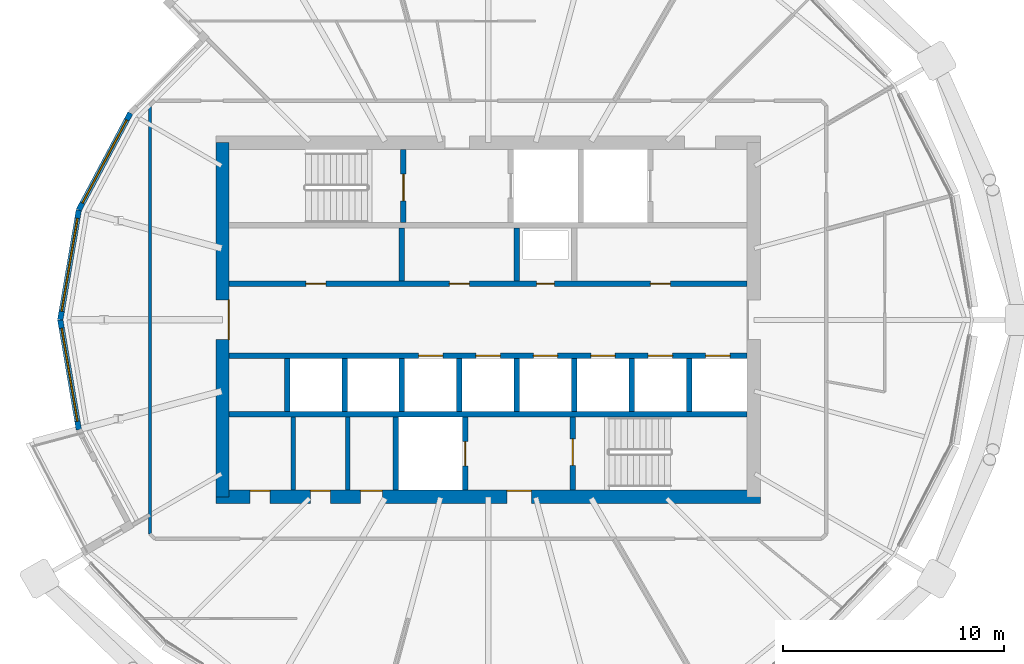
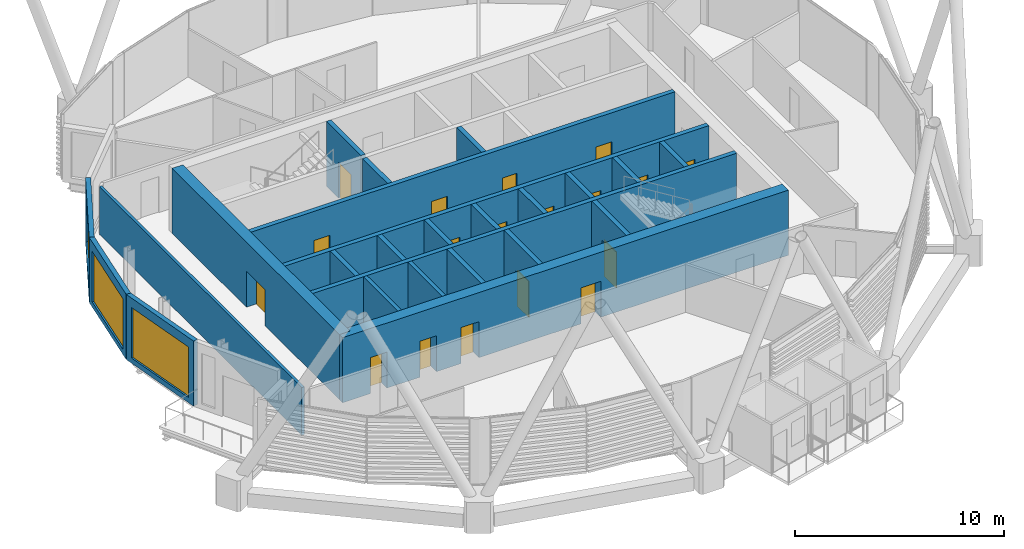
# One storey, part 23 of 35: 25 walls, 18 doors, 3 windows, 21 openings.
"""IFC4 building model written with IfcOpenShell, lengths in metres."""

from ifc_helpers import new_model, si_unit, direction, frame, frame_2d, origin, place, context, subcontext, project, spatial, rectangle, extrude, material, layer, layer_set, type_object, element, fill, save


model = new_model("IFC4")

# Units and contexts
model_context = context("Model", 3, precision=1e-05, world=origin(), true_north=direction((0.0, 1.0)))
body_context = subcontext(model_context, "Body", "Model", "MODEL_VIEW")
ifc_project = project(units=[si_unit("LENGTHUNIT", "METRE"), si_unit("AREAUNIT", "SQUARE_METRE"), si_unit("VOLUMEUNIT", "CUBIC_METRE"), si_unit("PLANEANGLEUNIT", "RADIAN"), si_unit("MASSUNIT", "GRAM", prefix="KILO")], contexts=[model_context])

# Site, building, storey
site_placement = place(None, origin())
site = spatial("IfcSite", under=ifc_project, at=site_placement, CompositionType="ELEMENT")
building_placement = place(site_placement, origin())
building = spatial("IfcBuilding", under=site, at=building_placement, Name="Rimbun Link Towers", CompositionType="ELEMENT")
storey_placement = place(building_placement, frame((0.0, 0.0, 181.699951171875)))
storey = spatial("IfcBuildingStorey", under=building, at=storey_placement, Name="L44", CompositionType="ELEMENT", Elevation=181.699951171875)

# Wall, opening, window
ifc_material_1 = material(Name="Dark enamelled glass spandrel on insulated aluminium backpan", Category="aluminium")
ifc_layer_1 = layer(ifc_material_1, 0.25)
ifc_layer_set_1 = layer_set([ifc_layer_1], Name="CS dark enamelled spandrel wall 250")
wall_type_1 = type_object("IfcWallType", Name="CS dark enamelled spandrel wall 250", PredefinedType="STANDARD", material=ifc_layer_set_1)
wall_1_placement = place(storey_placement, frame((-50.239501953125, 4.962890625, 0.0), z_axis=(0.0, 0.0, 1.0), x_axis=(0.469870717815, 0.882735242607, 0.0)))
wall_1 = element("IfcWall", 1, at=wall_1_placement, inside=storey, type_object=wall_type_1, Name="Crease spandrel wall", PredefinedType="STANDARD", context=body_context, shape_type="SweptSolid", body=[
    extrude(rectangle(XDim=4.963623046875, YDim=0.25, at=frame_2d((2.48193359375, 0.0))), origin(), (0.0, 0.0, 1.0), 3.800048828125),
])
opening_1_placement = place(wall_1_placement, frame((0.35693359375, 0.0, 0.300048828125)))
opening_1 = element("IfcOpeningElement", 2, at=opening_1_placement, cuts=wall_1, Name="Opening WR42H295", PredefinedType="OPENING", context=body_context, shape_type="SweptSolid", body=[
    extrude(rectangle(XDim=4.25, YDim=2.949951171875, at=frame_2d((2.125, 1.47509765625))), frame((0.0, 0.135009765625, 0.0), z_axis=(0.0, -1.0, 0.0), x_axis=(1.0, 0.0, 0.0)), (0.0, 0.0, 1.0), 0.27001953125),
])
ifc_material_2 = material(Name="Aluminium framed fixed window, dark tinted low-e glass", Category="aluminium")
window_type = type_object("IfcWindowType", Name="WR ribbon window 4250X2950", PartitioningType="SINGLE_PANEL", PredefinedType="WINDOW", material=ifc_material_2)
window_1_placement = place(opening_1_placement, origin())
window_1 = element("IfcWindow", 3, at=window_1_placement, inside=storey, type_object=window_type, Name="Crease ribbon window", OverallHeight=2.949951171875, OverallWidth=4.25, PartitioningType="SINGLE_PANEL", PredefinedType="WINDOW", context=body_context, shape_type="SweptSolid", body=[
    extrude(rectangle(XDim=4.25, YDim=2.949951171875, at=frame_2d((2.125, 1.47509765625))), frame((0.0, 0.030029296875, 0.0), z_axis=(0.0, -1.0, 0.0), x_axis=(1.0, 0.0, 0.0)), (0.0, 0.0, 1.0), 0.06005859375),
])
fill(opening_1, window_1)

wall_2_placement = place(storey_placement, frame((-51.077880859375, 0.0, 0.0), z_axis=(0.0, 0.0, 1.0), x_axis=(0.166569559795, 0.986029706322, 0.0)))
wall_2 = element("IfcWall", 4, at=wall_2_placement, inside=storey, type_object=wall_type_1, Name="Crease spandrel wall", PredefinedType="STANDARD", context=body_context, shape_type="SweptSolid", body=[
    extrude(rectangle(XDim=5.033203125, YDim=0.25, at=frame_2d((2.5166015625, 0.0))), origin(), (0.0, 0.0, 1.0), 3.800048828125),
])
opening_2_placement = place(wall_2_placement, frame((0.3916015625, 0.0, 0.300048828125)))
opening_2 = element("IfcOpeningElement", 5, at=opening_2_placement, cuts=wall_2, Name="Opening WR42H295", PredefinedType="OPENING", context=body_context, shape_type="SweptSolid", body=[
    extrude(rectangle(XDim=4.25, YDim=2.949951171875, at=frame_2d((2.125, 1.47509765625))), frame((0.0, 0.135009765625, 0.0), z_axis=(0.0, -1.0, 0.0), x_axis=(1.0, 0.0, 0.0)), (0.0, 0.0, 1.0), 0.27001953125),
])
window_2_placement = place(opening_2_placement, origin())
window_2 = element("IfcWindow", 6, at=window_2_placement, inside=storey, type_object=window_type, Name="Crease ribbon window", OverallHeight=2.949951171875, OverallWidth=4.25, PartitioningType="SINGLE_PANEL", PredefinedType="WINDOW", context=body_context, shape_type="SweptSolid", body=[
    extrude(rectangle(XDim=4.25, YDim=2.949951171875, at=frame_2d((2.125, 1.47509765625))), frame((0.0, 0.030029296875, 0.0), z_axis=(0.0, -1.0, 0.0), x_axis=(1.0, 0.0, 0.0)), (0.0, 0.0, 1.0), 0.06005859375),
])
fill(opening_2, window_2)

wall_3_placement = place(storey_placement, frame((-50.239501953125, -4.962890625, 0.0), z_axis=(0.0, 0.0, 1.0), x_axis=(-0.166569559795, 0.986029706322, 0.0)))
wall_3 = element("IfcWall", 7, at=wall_3_placement, inside=storey, type_object=wall_type_1, Name="Crease spandrel wall", PredefinedType="STANDARD", context=body_context, shape_type="SweptSolid", body=[
    extrude(rectangle(XDim=5.033203125, YDim=0.25, at=frame_2d((2.5166015625, 0.0))), origin(), (0.0, 0.0, 1.0), 3.800048828125),
])
opening_3_placement = place(wall_3_placement, frame((0.3916015625, 0.0, 0.300048828125)))
opening_3 = element("IfcOpeningElement", 8, at=opening_3_placement, cuts=wall_3, Name="Opening WR42H295", PredefinedType="OPENING", context=body_context, shape_type="SweptSolid", body=[
    extrude(rectangle(XDim=4.25, YDim=2.949951171875, at=frame_2d((2.125, 1.47509765625))), frame((0.0, 0.135009765625, 0.0), z_axis=(0.0, -1.0, 0.0), x_axis=(1.0, 0.0, 0.0)), (0.0, 0.0, 1.0), 0.27001953125),
])
window_3_placement = place(opening_3_placement, origin())
window_3 = element("IfcWindow", 9, at=window_3_placement, inside=storey, type_object=window_type, Name="Crease ribbon window", OverallHeight=2.949951171875, OverallWidth=4.25, PartitioningType="SINGLE_PANEL", PredefinedType="WINDOW", context=body_context, shape_type="SweptSolid", body=[
    extrude(rectangle(XDim=4.25, YDim=2.949951171875, at=frame_2d((2.125, 1.47509765625))), frame((0.0, 0.030029296875, 0.0), z_axis=(0.0, -1.0, 0.0), x_axis=(1.0, 0.0, 0.0)), (0.0, 0.0, 1.0), 0.06005859375),
])
fill(opening_3, window_3)

# Walls
ifc_material_3 = material(Name="Masonry blockwork", Category="masonry")
ifc_layer_2 = layer(ifc_material_3, 0.199951171875)
ifc_layer_set_2 = layer_set([ifc_layer_2], Name="Core partition 200")
wall_type_2 = type_object("IfcWallType", Name="Core partition 200", PredefinedType="PARTITIONING", material=ifc_layer_set_2)
for number, where, z_axis, x_axis, name in (
    (10, (-40.550048828125, -4.39990234375, 0.0), (0.0, 0.0, 1.0), (0.0, -1.0, 0.0), "L44 T1 core wall C1"),
    (11, (-38.10009765625, -4.39990234375, 0.0), (0.0, 0.0, 1.0), (0.0, -1.0, 0.0), "L44 T1 core wall C2"),
):
    element("IfcWall", number, at=place(storey_placement, frame(where, z_axis=z_axis, x_axis=x_axis)), inside=storey, type_object=wall_type_2, Name=name, PredefinedType="PARTITIONING", context=body_context, shape_type="SweptSolid", body=[
        extrude(rectangle(XDim=3.300048828125, YDim=0.199951171875, at=frame_2d((1.64990234375, 0.0))), origin(), (0.0, 0.0, 1.0), 3.800048828125),
    ])

# Wall, openings, doors
ifc_material_4 = material(Name="Concrete C60/75", Category="concrete")
ifc_layer_3 = layer(ifc_material_4, 0.60009765625)
ifc_layer_set_3 = layer_set([ifc_layer_3], Name="Core shear wall 600")
wall_type_3 = type_object("IfcWallType", Name="Core shear wall 600", PredefinedType="SHEAR", material=ifc_layer_set_3)
wall_4_placement = place(storey_placement, frame((-44.050048828125, -8.0, 0.0), z_axis=(0.0, 0.0, 1.0), x_axis=(1.0, 0.0, 0.0)))
wall_4 = element("IfcWall", 12, at=wall_4_placement, inside=storey, type_object=wall_type_3, Name="L44 T1 core wall S", PredefinedType="SHEAR", context=body_context, shape_type="SweptSolid", body=[
    extrude(rectangle(XDim=24.60009765625, YDim=0.60009765625, at=frame_2d((12.300048828125, 0.0))), origin(), (0.0, 0.0, 1.0), 3.800048828125),
])
opening_4_placement = place(wall_4_placement, frame((13.14990234375, 0.0, 0.0)))
opening_4 = element("IfcOpeningElement", 13, at=opening_4_placement, cuts=wall_4, Name="Opening C1DCF01S", PredefinedType="OPENING", context=body_context, shape_type="SweptSolid", body=[
    extrude(rectangle(XDim=1.10009765625, YDim=2.10009765625, at=frame_2d((0.550048828125, 1.050048828125))), frame((0.0, 0.31005859375, 0.0), z_axis=(0.0, -1.0, 0.0), x_axis=(1.0, 0.0, 0.0)), (0.0, 0.0, 1.0), 0.6201171875),
])
opening_5_placement = place(wall_4_placement, frame((1.550048828125, 0.0, 0.0)))
opening_5 = element("IfcOpeningElement", 14, at=opening_5_placement, cuts=wall_4, Name="Opening C1DWC02S", PredefinedType="OPENING", context=body_context, shape_type="SweptSolid", body=[
    extrude(rectangle(XDim=0.89990234375, YDim=2.10009765625, at=frame_2d((0.449951171875, 1.050048828125))), frame((0.0, 0.31005859375, 0.0), z_axis=(0.0, -1.0, 0.0), x_axis=(1.0, 0.0, 0.0)), (0.0, 0.0, 1.0), 0.6201171875),
])
opening_6_placement = place(wall_4_placement, frame((4.27490234375, 0.0, 0.0)))
opening_6 = element("IfcOpeningElement", 15, at=opening_6_placement, cuts=wall_4, Name="Opening C1DWC03S", PredefinedType="OPENING", context=body_context, shape_type="SweptSolid", body=[
    extrude(rectangle(XDim=0.89990234375, YDim=2.10009765625, at=frame_2d((0.449951171875, 1.050048828125))), frame((0.0, 0.31005859375, 0.0), z_axis=(0.0, -1.0, 0.0), x_axis=(1.0, 0.0, 0.0)), (0.0, 0.0, 1.0), 0.6201171875),
])
opening_7_placement = place(wall_4_placement, frame((6.52490234375, 0.0, 0.0)))
opening_7 = element("IfcOpeningElement", 16, at=opening_7_placement, cuts=wall_4, Name="Opening C1DAW04S", PredefinedType="OPENING", context=body_context, shape_type="SweptSolid", body=[
    extrude(rectangle(XDim=1.0, YDim=2.10009765625, at=frame_2d((0.5, 1.050048828125))), frame((0.0, 0.31005859375, 0.0), z_axis=(0.0, -1.0, 0.0), x_axis=(1.0, 0.0, 0.0)), (0.0, 0.0, 1.0), 0.6201171875),
])
ifc_material_5 = material(Name="Timber", Category="wood")
door_type_1 = type_object("IfcDoorType", Name="Accessible WC door", OperationType="SINGLE_SWING_LEFT", PredefinedType="DOOR", material=ifc_material_5)
door_1_placement = place(opening_7_placement, origin())
door_1 = element("IfcDoor", 17, at=door_1_placement, inside=storey, type_object=door_type_1, Name="L44 T1 accessible wc door", OperationType="SINGLE_SWING_RIGHT", OverallHeight=2.10009765625, OverallWidth=1.0, PredefinedType="DOOR", context=body_context, shape_type="SweptSolid", body=[
    extrude(rectangle(XDim=1.0, YDim=2.10009765625, at=frame_2d((0.5, 1.050048828125))), frame((0.0, 0.2998046875, 0.0), z_axis=(0.0, -1.0, 0.0), x_axis=(1.0, 0.0, 0.0)), (0.0, 0.0, 1.0), 0.050048828125),
])
fill(opening_7, door_1)
ifc_material_6 = material(Name="Steel fire door set", Category="steel")
door_type_2 = type_object("IfcDoorType", Name="Core fire door single", OperationType="SINGLE_SWING_LEFT", PredefinedType="DOOR", material=ifc_material_6)
door_2_placement = place(opening_4_placement, origin())
door_2 = element("IfcDoor", 18, at=door_2_placement, inside=storey, type_object=door_type_2, Name="L44 T1 firefighting lobby s door", OperationType="SINGLE_SWING_RIGHT", OverallHeight=2.10009765625, OverallWidth=1.10009765625, PredefinedType="DOOR", context=body_context, shape_type="SweptSolid", body=[
    extrude(rectangle(XDim=1.10009765625, YDim=2.10009765625, at=frame_2d((0.550048828125, 1.050048828125))), frame((0.0, 0.2998046875, 0.0), z_axis=(0.0, -1.0, 0.0), x_axis=(1.0, 0.0, 0.0)), (0.0, 0.0, 1.0), 0.050048828125),
])
fill(opening_4, door_2)
ifc_material_7 = material(Name="Timber", Category="wood")
door_type_3 = type_object("IfcDoorType", Name="WC door", OperationType="SINGLE_SWING_LEFT", PredefinedType="DOOR", material=ifc_material_7)
door_3_placement = place(opening_5_placement, origin())
door_3 = element("IfcDoor", 19, at=door_3_placement, inside=storey, type_object=door_type_3, Name="L44 T1 male wc door", OperationType="SINGLE_SWING_LEFT", OverallHeight=2.10009765625, OverallWidth=0.89990234375, PredefinedType="DOOR", context=body_context, shape_type="SweptSolid", body=[
    extrude(rectangle(XDim=0.89990234375, YDim=2.10009765625, at=frame_2d((0.449951171875, 1.050048828125))), frame((0.0, 0.2998046875, 0.0), z_axis=(0.0, -1.0, 0.0), x_axis=(1.0, 0.0, 0.0)), (0.0, 0.0, 1.0), 0.050048828125),
])
fill(opening_5, door_3)
door_4_placement = place(opening_6_placement, origin())
door_4 = element("IfcDoor", 20, at=door_4_placement, inside=storey, type_object=door_type_3, Name="L44 T1 female wc door", OperationType="SINGLE_SWING_RIGHT", OverallHeight=2.10009765625, OverallWidth=0.89990234375, PredefinedType="DOOR", context=body_context, shape_type="SweptSolid", body=[
    extrude(rectangle(XDim=0.89990234375, YDim=2.10009765625, at=frame_2d((0.449951171875, 1.050048828125))), frame((0.0, 0.2998046875, 0.0), z_axis=(0.0, -1.0, 0.0), x_axis=(1.0, 0.0, 0.0)), (0.0, 0.0, 1.0), 0.050048828125),
])
fill(opening_6, door_4)

# Wall, opening, door
wall_5_placement = place(storey_placement, frame((-43.75, -8.0, 0.0), z_axis=(0.0, 0.0, 1.0), x_axis=(0.0, 1.0, 0.0)))
wall_5 = element("IfcWall", 21, at=wall_5_placement, inside=storey, type_object=wall_type_3, Name="L44 T1 core wall W", PredefinedType="SHEAR", context=body_context, shape_type="SweptSolid", body=[
    extrude(rectangle(XDim=16.0, YDim=0.60009765625, at=frame_2d((8.0, 0.0))), origin(), (0.0, 0.0, 1.0), 3.800048828125),
])
opening_8_placement = place(wall_5_placement, frame((7.10009765625, 0.0, 0.0)))
opening_8 = element("IfcOpeningElement", 22, at=opening_8_placement, cuts=wall_5, Name="Opening C1DCL01W", PredefinedType="OPENING", context=body_context, shape_type="SweptSolid", body=[
    extrude(rectangle(XDim=1.800048828125, YDim=2.10009765625, at=frame_2d((0.89990234375, 1.050048828125))), frame((0.0, 0.31005859375, 0.0), z_axis=(0.0, -1.0, 0.0), x_axis=(1.0, 0.0, 0.0)), (0.0, 0.0, 1.0), 0.6201171875),
])
ifc_material_8 = material(Name="Steel fire door set", Category="steel")
door_type_4 = type_object("IfcDoorType", Name="Core lobby door double", OperationType="DOUBLE_DOOR_SINGLE_SWING", PredefinedType="DOOR", material=ifc_material_8)
door_5_placement = place(opening_8_placement, origin())
door_5 = element("IfcDoor", 23, at=door_5_placement, inside=storey, type_object=door_type_4, Name="L44 T1 lift lobby door", OperationType="DOUBLE_DOOR_SINGLE_SWING", OverallHeight=2.10009765625, OverallWidth=1.800048828125, PredefinedType="DOOR", context=body_context, shape_type="SweptSolid", body=[
    extrude(rectangle(XDim=1.800048828125, YDim=2.10009765625, at=frame_2d((0.89990234375, 1.050048828125))), frame((0.0, -0.25, 0.0), z_axis=(0.0, -1.0, 0.0), x_axis=(1.0, 0.0, 0.0)), (0.0, 0.0, 1.0), 0.050048828125),
])
fill(opening_8, door_5)

# Walls
ifc_material_9 = material(Name="Plasterboard on steel stud, mineral wool", Category="steel")
ifc_layer_4 = layer(ifc_material_9, 0.14990234375)
ifc_layer_set_4 = layer_set([ifc_layer_4], Name="Corridor wall EI 30 150 mm")
wall_type_4 = type_object("IfcWallType", Name="Corridor wall EI 30 150 mm", PredefinedType="PARTITIONING", material=ifc_layer_set_4)
wall_6_placement = place(storey_placement, frame((-47.02490234375, 9.673583984375, 0.0), z_axis=(0.0, 0.0, 1.0), x_axis=(0.0, -1.0, 0.0)))
element("IfcWall", 24, at=wall_6_placement, inside=storey, type_object=wall_type_4, Name="Corridor wall EI 30 150 mm", PredefinedType="PARTITIONING", context=body_context, shape_type="SweptSolid", body=[
    extrude(rectangle(XDim=19.34716796875, YDim=0.14990234375, at=frame_2d((9.673583984375, 0.0))), origin(), (0.0, 0.0, 1.0), 2.7890625),
])
ifc_material_10 = material(Name="Concrete C60/75", Category="concrete")
ifc_layer_5 = layer(ifc_material_10, 0.25)
ifc_layer_set_5 = layer_set([ifc_layer_5], Name="Shaft wall 250")
wall_type_5 = type_object("IfcWallType", Name="Shaft wall 250", PredefinedType="SHEAR", material=ifc_layer_set_5)
wall_7_placement = place(storey_placement, frame((-43.449951171875, -4.27490234375, 0.0), z_axis=(0.0, 0.0, 1.0), x_axis=(1.0, 0.0, 0.0)))
element("IfcWall", 25, at=wall_7_placement, inside=storey, type_object=wall_type_5, Name="L44 T1 core wall BS", PredefinedType="SHEAR", context=body_context, shape_type="SweptSolid", body=[
    extrude(rectangle(XDim=23.39990234375, YDim=0.25, at=frame_2d((11.699951171875, 0.0))), origin(), (0.0, 0.0, 1.0), 3.800048828125),
])

# Wall, openings, doors
wall_8_placement = place(storey_placement, frame((-43.449951171875, 1.625, 0.0), z_axis=(0.0, 0.0, 1.0), x_axis=(1.0, 0.0, 0.0)))
wall_8 = element("IfcWall", 26, at=wall_8_placement, inside=storey, type_object=wall_type_5, Name="L44 T1 core wall FN", PredefinedType="SHEAR", context=body_context, shape_type="SweptSolid", body=[
    extrude(rectangle(XDim=23.39990234375, YDim=0.25, at=frame_2d((11.699951171875, 0.0))), origin(), (0.0, 0.0, 1.0), 3.800048828125),
])
opening_9_placement = place(wall_8_placement, frame((3.466796875, 0.0, 0.0)))
opening_9 = element("IfcOpeningElement", 27, at=opening_9_placement, cuts=wall_8, Name="Opening C1DRS01FN", PredefinedType="OPENING", context=body_context, shape_type="SweptSolid", body=[
    extrude(rectangle(XDim=0.89990234375, YDim=2.10009765625, at=frame_2d((0.449951171875, 1.050048828125))), frame((0.0, 0.135009765625, 0.0), z_axis=(0.0, -1.0, 0.0), x_axis=(1.0, 0.0, 0.0)), (0.0, 0.0, 1.0), 0.27001953125),
])
opening_10_placement = place(wall_8_placement, frame((9.952880859375, 0.0, 0.0)))
opening_10 = element("IfcOpeningElement", 28, at=opening_10_placement, cuts=wall_8, Name="Opening C1DRS02FN", PredefinedType="OPENING", context=body_context, shape_type="SweptSolid", body=[
    extrude(rectangle(XDim=0.89990234375, YDim=2.10009765625, at=frame_2d((0.449951171875, 1.050048828125))), frame((0.0, 0.135009765625, 0.0), z_axis=(0.0, -1.0, 0.0), x_axis=(1.0, 0.0, 0.0)), (0.0, 0.0, 1.0), 0.27001953125),
])
opening_11_placement = place(wall_8_placement, frame((13.894287109375, 0.0, 0.0)))
opening_11 = element("IfcOpeningElement", 29, at=opening_11_placement, cuts=wall_8, Name="Opening C1DRA03FN", PredefinedType="OPENING", context=body_context, shape_type="SweptSolid", body=[
    extrude(rectangle(XDim=0.800048828125, YDim=2.10009765625, at=frame_2d((0.39990234375, 1.050048828125))), frame((0.0, 0.135009765625, 0.0), z_axis=(0.0, -1.0, 0.0), x_axis=(1.0, 0.0, 0.0)), (0.0, 0.0, 1.0), 0.27001953125),
])
opening_12_placement = place(wall_8_placement, frame((19.033203125, 0.0, 0.0)))
opening_12 = element("IfcOpeningElement", 30, at=opening_12_placement, cuts=wall_8, Name="Opening C1DRS04FN", PredefinedType="OPENING", context=body_context, shape_type="SweptSolid", body=[
    extrude(rectangle(XDim=0.89990234375, YDim=2.10009765625, at=frame_2d((0.449951171875, 1.050048828125))), frame((0.0, 0.135009765625, 0.0), z_axis=(0.0, -1.0, 0.0), x_axis=(1.0, 0.0, 0.0)), (0.0, 0.0, 1.0), 0.27001953125),
])
ifc_material_11 = material(Name="Steel fire door set", Category="steel")
door_type_5 = type_object("IfcDoorType", Name="Core riser door", OperationType="SINGLE_SWING_LEFT", PredefinedType="DOOR", material=ifc_material_11)
door_6_placement = place(opening_9_placement, origin())
door_6 = element("IfcDoor", 31, at=door_6_placement, inside=storey, type_object=door_type_5, Name="L44 T1 plant room door", OperationType="SINGLE_SWING_RIGHT", OverallHeight=2.10009765625, OverallWidth=0.89990234375, PredefinedType="DOOR", context=body_context, shape_type="SweptSolid", body=[
    extrude(rectangle(XDim=0.89990234375, YDim=2.10009765625, at=frame_2d((0.449951171875, 1.050048828125))), frame((0.0, 0.02490234375, 0.0), z_axis=(0.0, -1.0, 0.0), x_axis=(1.0, 0.0, 0.0)), (0.0, 0.0, 1.0), 0.050048828125),
])
fill(opening_9, door_6)
door_7_placement = place(opening_10_placement, origin())
door_7 = element("IfcDoor", 32, at=door_7_placement, inside=storey, type_object=door_type_5, Name="L44 T1 pantry door", OperationType="SINGLE_SWING_LEFT", OverallHeight=2.10009765625, OverallWidth=0.89990234375, PredefinedType="DOOR", context=body_context, shape_type="SweptSolid", body=[
    extrude(rectangle(XDim=0.89990234375, YDim=2.10009765625, at=frame_2d((0.449951171875, 1.050048828125))), frame((0.0, 0.02490234375, 0.0), z_axis=(0.0, -1.0, 0.0), x_axis=(1.0, 0.0, 0.0)), (0.0, 0.0, 1.0), 0.050048828125),
])
fill(opening_10, door_7)
door_8_placement = place(opening_12_placement, origin())
door_8 = element("IfcDoor", 33, at=door_8_placement, inside=storey, type_object=door_type_5, Name="L44 T1 plant room door", OperationType="SINGLE_SWING_LEFT", OverallHeight=2.10009765625, OverallWidth=0.89990234375, PredefinedType="DOOR", context=body_context, shape_type="SweptSolid", body=[
    extrude(rectangle(XDim=0.89990234375, YDim=2.10009765625, at=frame_2d((0.449951171875, 1.050048828125))), frame((0.0, 0.02490234375, 0.0), z_axis=(0.0, -1.0, 0.0), x_axis=(1.0, 0.0, 0.0)), (0.0, 0.0, 1.0), 0.050048828125),
])
fill(opening_12, door_8)
ifc_material_12 = material(Name="Steel fire door set", Category="steel")
door_type_6 = type_object("IfcDoorType", Name="Riser access door 800 x 2100", OperationType="SINGLE_SWING_LEFT", PredefinedType="DOOR", material=ifc_material_12)
door_9_placement = place(opening_11_placement, origin())
door_9 = element("IfcDoor", 34, at=door_9_placement, inside=storey, type_object=door_type_6, Name="L44 T1 riser cupboard door", OperationType="SINGLE_SWING_LEFT", OverallHeight=2.10009765625, OverallWidth=0.800048828125, PredefinedType="DOOR", context=body_context, shape_type="SweptSolid", body=[
    extrude(rectangle(XDim=0.800048828125, YDim=2.10009765625, at=frame_2d((0.39990234375, 1.050048828125))), frame((0.0, 0.02490234375, 0.0), z_axis=(0.0, -1.0, 0.0), x_axis=(1.0, 0.0, 0.0)), (0.0, 0.0, 1.0), 0.050048828125),
])
fill(opening_11, door_9)

wall_9_placement = place(storey_placement, frame((-43.449951171875, -1.625, 0.0), z_axis=(0.0, 0.0, 1.0), x_axis=(1.0, 0.0, 0.0)))
wall_9 = element("IfcWall", 35, at=wall_9_placement, inside=storey, type_object=wall_type_5, Name="L44 T1 core wall FS", PredefinedType="SHEAR", context=body_context, shape_type="SweptSolid", body=[
    extrude(rectangle(XDim=23.39990234375, YDim=0.25, at=frame_2d((11.699951171875, 0.0))), origin(), (0.0, 0.0, 1.0), 3.800048828125),
])
opening_13_placement = place(wall_9_placement, frame((8.5556640625, 0.0, 0.0)))
opening_13 = element("IfcOpeningElement", 36, at=opening_13_placement, cuts=wall_9, Name="Opening LD-T1-HR1", PredefinedType="OPENING", context=body_context, shape_type="SweptSolid", body=[
    extrude(rectangle(XDim=1.10009765625, YDim=2.10009765625, at=frame_2d((0.550048828125, 1.050048828125))), frame((0.0, 0.135009765625, 0.0), z_axis=(0.0, -1.0, 0.0), x_axis=(1.0, 0.0, 0.0)), (0.0, 0.0, 1.0), 0.27001953125),
])
opening_14_placement = place(wall_9_placement, frame((11.14990234375, 0.0, 0.0)))
opening_14 = element("IfcOpeningElement", 37, at=opening_14_placement, cuts=wall_9, Name="Opening LD-T1-HR2", PredefinedType="OPENING", context=body_context, shape_type="SweptSolid", body=[
    extrude(rectangle(XDim=1.10009765625, YDim=2.10009765625, at=frame_2d((0.550048828125, 1.050048828125))), frame((0.0, 0.135009765625, 0.0), z_axis=(0.0, -1.0, 0.0), x_axis=(1.0, 0.0, 0.0)), (0.0, 0.0, 1.0), 0.27001953125),
])
opening_15_placement = place(wall_9_placement, frame((13.744384765625, 0.0, 0.0)))
opening_15 = element("IfcOpeningElement", 38, at=opening_15_placement, cuts=wall_9, Name="Opening LD-T1-HR3", PredefinedType="OPENING", context=body_context, shape_type="SweptSolid", body=[
    extrude(rectangle(XDim=1.10009765625, YDim=2.10009765625, at=frame_2d((0.550048828125, 1.050048828125))), frame((0.0, 0.135009765625, 0.0), z_axis=(0.0, -1.0, 0.0), x_axis=(1.0, 0.0, 0.0)), (0.0, 0.0, 1.0), 0.27001953125),
])
opening_16_placement = place(wall_9_placement, frame((16.3388671875, 0.0, 0.0)))
opening_16 = element("IfcOpeningElement", 39, at=opening_16_placement, cuts=wall_9, Name="Opening LD-T1-HR4", PredefinedType="OPENING", context=body_context, shape_type="SweptSolid", body=[
    extrude(rectangle(XDim=1.10009765625, YDim=2.10009765625, at=frame_2d((0.550048828125, 1.050048828125))), frame((0.0, 0.135009765625, 0.0), z_axis=(0.0, -1.0, 0.0), x_axis=(1.0, 0.0, 0.0)), (0.0, 0.0, 1.0), 0.27001953125),
])
opening_17_placement = place(wall_9_placement, frame((18.933349609375, 0.0, 0.0)))
opening_17 = element("IfcOpeningElement", 40, at=opening_17_placement, cuts=wall_9, Name="Opening LD-T1-HR5", PredefinedType="OPENING", context=body_context, shape_type="SweptSolid", body=[
    extrude(rectangle(XDim=1.10009765625, YDim=2.10009765625, at=frame_2d((0.550048828125, 1.050048828125))), frame((0.0, 0.135009765625, 0.0), z_axis=(0.0, -1.0, 0.0), x_axis=(1.0, 0.0, 0.0)), (0.0, 0.0, 1.0), 0.27001953125),
])
opening_18_placement = place(wall_9_placement, frame((21.52783203125, 0.0, 0.0)))
opening_18 = element("IfcOpeningElement", 41, at=opening_18_placement, cuts=wall_9, Name="Opening LD-T1-HR6", PredefinedType="OPENING", context=body_context, shape_type="SweptSolid", body=[
    extrude(rectangle(XDim=1.10009765625, YDim=2.10009765625, at=frame_2d((0.550048828125, 1.050048828125))), frame((0.0, 0.135009765625, 0.0), z_axis=(0.0, -1.0, 0.0), x_axis=(1.0, 0.0, 0.0)), (0.0, 0.0, 1.0), 0.27001953125),
])
ifc_material_13 = material(Name="Stainless steel grade 316", Category="steel")
door_type_7 = type_object("IfcDoorType", Name="Lift landing door", OperationType="DOUBLE_DOOR_SLIDING", PredefinedType="DOOR", material=ifc_material_13)
door_10_placement = place(opening_13_placement, origin())
door_10 = element("IfcDoor", 42, at=door_10_placement, inside=storey, type_object=door_type_7, Name="L44 T1 lift HR1 landing door", OperationType="DOUBLE_DOOR_SLIDING", OverallHeight=2.10009765625, OverallWidth=1.10009765625, PredefinedType="DOOR", context=body_context, shape_type="SweptSolid", body=[
    extrude(rectangle(XDim=1.10009765625, YDim=2.10009765625, at=frame_2d((0.550048828125, 1.050048828125))), frame((0.0, 0.02490234375, 0.0), z_axis=(0.0, -1.0, 0.0), x_axis=(1.0, 0.0, 0.0)), (0.0, 0.0, 1.0), 0.050048828125),
])
fill(opening_13, door_10)
door_11_placement = place(opening_14_placement, origin())
door_11 = element("IfcDoor", 43, at=door_11_placement, inside=storey, type_object=door_type_7, Name="L44 T1 lift HR2 landing door", OperationType="DOUBLE_DOOR_SLIDING", OverallHeight=2.10009765625, OverallWidth=1.10009765625, PredefinedType="DOOR", context=body_context, shape_type="SweptSolid", body=[
    extrude(rectangle(XDim=1.10009765625, YDim=2.10009765625, at=frame_2d((0.550048828125, 1.050048828125))), frame((0.0, 0.02490234375, 0.0), z_axis=(0.0, -1.0, 0.0), x_axis=(1.0, 0.0, 0.0)), (0.0, 0.0, 1.0), 0.050048828125),
])
fill(opening_14, door_11)
door_12_placement = place(opening_15_placement, origin())
door_12 = element("IfcDoor", 44, at=door_12_placement, inside=storey, type_object=door_type_7, Name="L44 T1 lift HR3 landing door", OperationType="DOUBLE_DOOR_SLIDING", OverallHeight=2.10009765625, OverallWidth=1.10009765625, PredefinedType="DOOR", context=body_context, shape_type="SweptSolid", body=[
    extrude(rectangle(XDim=1.10009765625, YDim=2.10009765625, at=frame_2d((0.550048828125, 1.050048828125))), frame((0.0, 0.02490234375, 0.0), z_axis=(0.0, -1.0, 0.0), x_axis=(1.0, 0.0, 0.0)), (0.0, 0.0, 1.0), 0.050048828125),
])
fill(opening_15, door_12)
door_13_placement = place(opening_16_placement, origin())
door_13 = element("IfcDoor", 45, at=door_13_placement, inside=storey, type_object=door_type_7, Name="L44 T1 lift HR4 landing door", OperationType="DOUBLE_DOOR_SLIDING", OverallHeight=2.10009765625, OverallWidth=1.10009765625, PredefinedType="DOOR", context=body_context, shape_type="SweptSolid", body=[
    extrude(rectangle(XDim=1.10009765625, YDim=2.10009765625, at=frame_2d((0.550048828125, 1.050048828125))), frame((0.0, 0.02490234375, 0.0), z_axis=(0.0, -1.0, 0.0), x_axis=(1.0, 0.0, 0.0)), (0.0, 0.0, 1.0), 0.050048828125),
])
fill(opening_16, door_13)
door_14_placement = place(opening_17_placement, origin())
door_14 = element("IfcDoor", 46, at=door_14_placement, inside=storey, type_object=door_type_7, Name="L44 T1 lift HR5 landing door", OperationType="DOUBLE_DOOR_SLIDING", OverallHeight=2.10009765625, OverallWidth=1.10009765625, PredefinedType="DOOR", context=body_context, shape_type="SweptSolid", body=[
    extrude(rectangle(XDim=1.10009765625, YDim=2.10009765625, at=frame_2d((0.550048828125, 1.050048828125))), frame((0.0, 0.02490234375, 0.0), z_axis=(0.0, -1.0, 0.0), x_axis=(1.0, 0.0, 0.0)), (0.0, 0.0, 1.0), 0.050048828125),
])
fill(opening_17, door_14)
door_15_placement = place(opening_18_placement, origin())
door_15 = element("IfcDoor", 47, at=door_15_placement, inside=storey, type_object=door_type_7, Name="L44 T1 lift HR6 landing door", OperationType="DOUBLE_DOOR_SLIDING", OverallHeight=2.10009765625, OverallWidth=1.10009765625, PredefinedType="DOOR", context=body_context, shape_type="SweptSolid", body=[
    extrude(rectangle(XDim=1.10009765625, YDim=2.10009765625, at=frame_2d((0.550048828125, 1.050048828125))), frame((0.0, 0.02490234375, 0.0), z_axis=(0.0, -1.0, 0.0), x_axis=(1.0, 0.0, 0.0)), (0.0, 0.0, 1.0), 0.050048828125),
])
fill(opening_18, door_15)

# Walls
for number, where, z_axis, x_axis, name in (
    (48, (-35.6416015625, 1.75, 0.0), (0.0, 0.0, 1.0), (0.0, 1.0, 0.0), "L44 T1 core wall DN2"),
    (49, (-30.452880859375, 1.75, 0.0), (0.0, 0.0, 1.0), (0.0, 1.0, 0.0), "L44 T1 core wall DN4"),
    (50, (-40.83056640625, -4.14990234375, 0.0), (0.0, 0.0, 1.0), (0.0, 1.0, 0.0), "L44 T1 core wall DS0"),
    (51, (-38.236083984375, -4.14990234375, 0.0), (0.0, 0.0, 1.0), (0.0, 1.0, 0.0), "L44 T1 core wall DS1"),
    (52, (-35.6416015625, -4.14990234375, 0.0), (0.0, 0.0, 1.0), (0.0, 1.0, 0.0), "L44 T1 core wall DS2"),
    (53, (-33.047119140625, -4.14990234375, 0.0), (0.0, 0.0, 1.0), (0.0, 1.0, 0.0), "L44 T1 core wall DS3"),
    (54, (-30.452880859375, -4.14990234375, 0.0), (0.0, 0.0, 1.0), (0.0, 1.0, 0.0), "L44 T1 core wall DS4"),
    (55, (-27.8583984375, -4.14990234375, 0.0), (0.0, 0.0, 1.0), (0.0, 1.0, 0.0), "L44 T1 core wall DS5"),
    (56, (-25.263916015625, -4.14990234375, 0.0), (0.0, 0.0, 1.0), (0.0, 1.0, 0.0), "L44 T1 core wall DS6"),
    (57, (-22.66943359375, -4.14990234375, 0.0), (0.0, 0.0, 1.0), (0.0, 1.0, 0.0), "L44 T1 core wall DS7"),
):
    element("IfcWall", number, at=place(storey_placement, frame(where, z_axis=z_axis, x_axis=x_axis)), inside=storey, type_object=wall_type_5, Name=name, PredefinedType="SHEAR", context=body_context, shape_type="SweptSolid", body=[
        extrude(rectangle(XDim=2.39990234375, YDim=0.25, at=frame_2d((1.199951171875, 0.0))), origin(), (0.0, 0.0, 1.0), 3.800048828125),
    ])

# Wall, opening, door
wall_10_placement = place(storey_placement, frame((-35.574951171875, 4.39990234375, 0.0), z_axis=(0.0, 0.0, 1.0), x_axis=(0.0, 1.0, 0.0)))
wall_10 = element("IfcWall", 58, at=wall_10_placement, inside=storey, type_object=wall_type_5, Name="L44 T1 core wall A1", PredefinedType="SHEAR", context=body_context, shape_type="SweptSolid", body=[
    extrude(rectangle(XDim=3.300048828125, YDim=0.25, at=frame_2d((1.64990234375, 0.0))), origin(), (0.0, 0.0, 1.0), 3.800048828125),
])
opening_19_placement = place(wall_10_placement, frame((0.97509765625, 0.0, 0.0)))
opening_19 = element("IfcOpeningElement", 59, at=opening_19_placement, cuts=wall_10, Name="Opening C1DST01A1", PredefinedType="OPENING", context=body_context, shape_type="SweptSolid", body=[
    extrude(rectangle(XDim=1.199951171875, YDim=2.10009765625, at=frame_2d((0.60009765625, 1.050048828125))), frame((0.0, 0.135009765625, 0.0), z_axis=(0.0, -1.0, 0.0), x_axis=(1.0, 0.0, 0.0)), (0.0, 0.0, 1.0), 0.27001953125),
])
ifc_material_14 = material(Name="Steel fire door set", Category="steel")
door_type_8 = type_object("IfcDoorType", Name="Stair door", OperationType="SINGLE_SWING_LEFT", PredefinedType="DOOR", material=ifc_material_14)
door_16_placement = place(opening_19_placement, origin())
door_16 = element("IfcDoor", 60, at=door_16_placement, inside=storey, type_object=door_type_8, Name="L44 T1 stair a door", OperationType="SINGLE_SWING_LEFT", OverallHeight=2.10009765625, OverallWidth=1.199951171875, PredefinedType="DOOR", context=body_context, shape_type="SweptSolid", body=[
    extrude(rectangle(XDim=1.199951171875, YDim=2.10009765625, at=frame_2d((0.60009765625, 1.050048828125))), frame((0.0, 0.02490234375, 0.0), z_axis=(0.0, -1.0, 0.0), x_axis=(1.0, 0.0, 0.0)), (0.0, 0.0, 1.0), 0.050048828125),
])
fill(opening_19, door_16)

wall_11_placement = place(storey_placement, frame((-27.925048828125, -4.39990234375, 0.0), z_axis=(0.0, 0.0, 1.0), x_axis=(0.0, -1.0, 0.0)))
wall_11 = element("IfcWall", 61, at=wall_11_placement, inside=storey, type_object=wall_type_5, Name="L44 T1 core wall B1", PredefinedType="SHEAR", context=body_context, shape_type="SweptSolid", body=[
    extrude(rectangle(XDim=3.300048828125, YDim=0.25, at=frame_2d((1.64990234375, 0.0))), origin(), (0.0, 0.0, 1.0), 3.800048828125),
])
opening_20_placement = place(wall_11_placement, frame((0.97509765625, 0.0, 0.0)))
opening_20 = element("IfcOpeningElement", 62, at=opening_20_placement, cuts=wall_11, Name="Opening C1DST01B1", PredefinedType="OPENING", context=body_context, shape_type="SweptSolid", body=[
    extrude(rectangle(XDim=1.199951171875, YDim=2.10009765625, at=frame_2d((0.60009765625, 1.050048828125))), frame((0.0, 0.135009765625, 0.0), z_axis=(0.0, -1.0, 0.0), x_axis=(1.0, 0.0, 0.0)), (0.0, 0.0, 1.0), 0.27001953125),
])
door_17_placement = place(opening_20_placement, origin())
door_17 = element("IfcDoor", 63, at=door_17_placement, inside=storey, type_object=door_type_8, Name="L44 T1 stair b door", OperationType="SINGLE_SWING_RIGHT", OverallHeight=2.10009765625, OverallWidth=1.199951171875, PredefinedType="DOOR", context=body_context, shape_type="SweptSolid", body=[
    extrude(rectangle(XDim=1.199951171875, YDim=2.10009765625, at=frame_2d((0.60009765625, 1.050048828125))), frame((0.0, 0.02490234375, 0.0), z_axis=(0.0, -1.0, 0.0), x_axis=(1.0, 0.0, 0.0)), (0.0, 0.0, 1.0), 0.050048828125),
])
fill(opening_20, door_17)

wall_12_placement = place(storey_placement, frame((-32.77490234375, -4.39990234375, 0.0), z_axis=(0.0, 0.0, 1.0), x_axis=(0.0, -1.0, 0.0)))
wall_12 = element("IfcWall", 64, at=wall_12_placement, inside=storey, type_object=wall_type_5, Name="L44 T1 core wall B2", PredefinedType="SHEAR", context=body_context, shape_type="SweptSolid", body=[
    extrude(rectangle(XDim=3.300048828125, YDim=0.25, at=frame_2d((1.64990234375, 0.0))), origin(), (0.0, 0.0, 1.0), 3.800048828125),
])
opening_21_placement = place(wall_12_placement, frame((1.10009765625, 0.0, 0.0)))
opening_21 = element("IfcOpeningElement", 65, at=opening_21_placement, cuts=wall_12, Name="Opening LD-T1-FF2", PredefinedType="OPENING", context=body_context, shape_type="SweptSolid", body=[
    extrude(rectangle(XDim=1.10009765625, YDim=2.10009765625, at=frame_2d((0.550048828125, 1.050048828125))), frame((0.0, 0.135009765625, 0.0), z_axis=(0.0, -1.0, 0.0), x_axis=(1.0, 0.0, 0.0)), (0.0, 0.0, 1.0), 0.27001953125),
])
door_18_placement = place(opening_21_placement, origin())
door_18 = element("IfcDoor", 66, at=door_18_placement, inside=storey, type_object=door_type_7, Name="L44 T1 lift FF2 landing door", OperationType="DOUBLE_DOOR_SLIDING", OverallHeight=2.10009765625, OverallWidth=1.10009765625, PredefinedType="DOOR", context=body_context, shape_type="SweptSolid", body=[
    extrude(rectangle(XDim=1.10009765625, YDim=2.10009765625, at=frame_2d((0.550048828125, 1.050048828125))), frame((0.0, 0.02490234375, 0.0), z_axis=(0.0, -1.0, 0.0), x_axis=(1.0, 0.0, 0.0)), (0.0, 0.0, 1.0), 0.050048828125),
])
fill(opening_21, door_18)

# Wall
wall_13_placement = place(storey_placement, frame((-35.925048828125, -4.39990234375, 0.0), z_axis=(0.0, 0.0, 1.0), x_axis=(0.0, -1.0, 0.0)))
element("IfcWall", 67, at=wall_13_placement, inside=storey, type_object=wall_type_5, Name="L44 T1 core wall B3", PredefinedType="SHEAR", context=body_context, shape_type="SweptSolid", body=[
    extrude(rectangle(XDim=3.300048828125, YDim=0.25, at=frame_2d((1.64990234375, 0.0))), origin(), (0.0, 0.0, 1.0), 3.800048828125),
])

save(model, "model.ifc")
